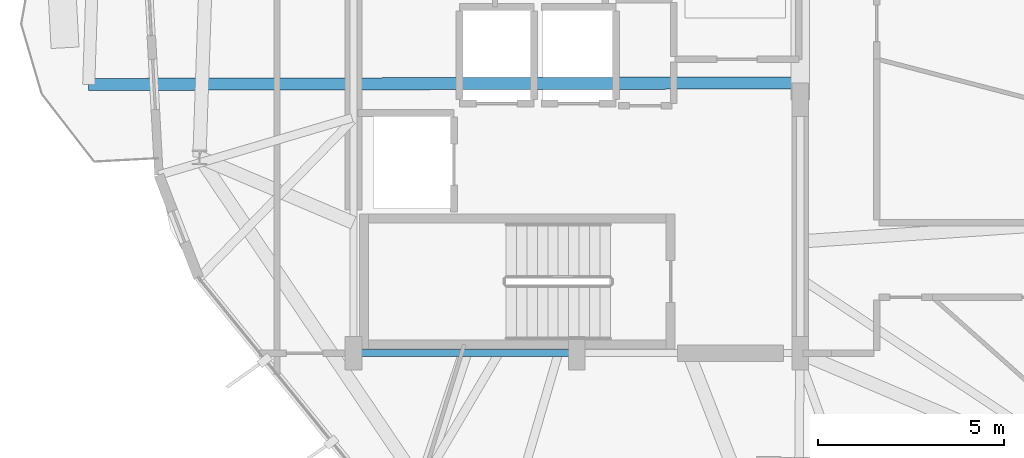
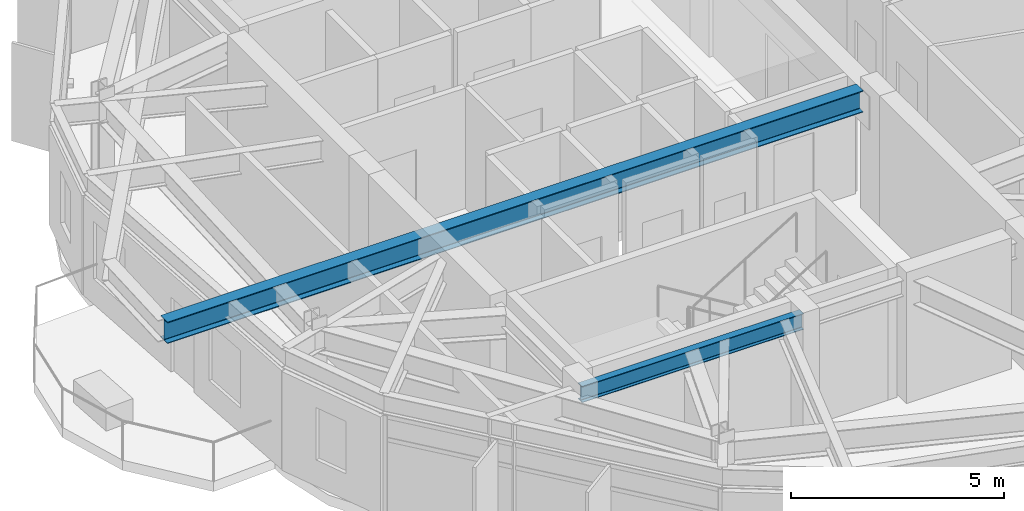
# One storey, part 4 of 26: 2 beams.
"""IFC4 building model written with IfcOpenShell, lengths in metres."""

from ifc_helpers import new_model, si_unit, direction, frame, origin, origin_2d, place, context, subcontext, project, spatial, i_section, extrude, material, material_profile, profile_set, type_object, element, save


model = new_model("IFC4")

# Units and contexts
model_context = context("Model", 3, precision=1e-05, world=origin(), true_north=direction((0.0, 1.0)))
body_context = subcontext(model_context, "Body", "Model", "MODEL_VIEW")
ifc_project = project(units=[si_unit("LENGTHUNIT", "METRE"), si_unit("AREAUNIT", "SQUARE_METRE"), si_unit("VOLUMEUNIT", "CUBIC_METRE"), si_unit("PLANEANGLEUNIT", "RADIAN"), si_unit("MASSUNIT", "GRAM", prefix="KILO")], contexts=[model_context])

# Site, building, storey
site_placement = place(None, origin())
site = spatial("IfcSite", under=ifc_project, at=site_placement, CompositionType="ELEMENT")
building_placement = place(site_placement, origin())
building = spatial("IfcBuilding", under=site, at=building_placement, Name="Soratama Intermodal Tower", CompositionType="ELEMENT")
storey_placement = place(building_placement, frame((0.0, 0.0, 242.5)))
storey = spatial("IfcBuildingStorey", under=building, at=storey_placement, Name="L61", CompositionType="ELEMENT", Elevation=242.5)

# Beams
ifc_material_1 = material(Name="Structural steel ASTM A992 Grade 50", Category="steel")
ifc_material_profile_1 = material_profile(ifc_material_1, i_section(OverallWidth=0.324951171875, OverallDepth=0.615966796875, WebThickness=0.013916015625, FlangeThickness=0.021484375, FilletRadius=0.013916015625, at=origin_2d()), Name="W24X117")
ifc_profile_set_1 = profile_set([ifc_material_profile_1], Name="Structural steel ASTM A992 Grade 50")
beam_type_1 = type_object("IfcBeamType", Name="BM-CANT-W24X117", PredefinedType="BEAM", material=ifc_profile_set_1)
beam_1_placement = place(storey_placement, frame((44.364990234375, 22.256103515625, 3.14208984375), z_axis=(-0.999997749406, -0.002121599365, 0.0), x_axis=(0.002121599365, -0.999997749406, 0.0)))
element("IfcBeam", 1, at=beam_1_placement, inside=storey, type_object=beam_type_1, Name="BM-L61-CANT-3-2", PredefinedType="BEAM", context=body_context, shape_type="SweptSolid", body=[
    extrude(i_section(OverallWidth=0.324951171875, OverallDepth=0.615966796875, WebThickness=0.013916015625, FlangeThickness=0.021484375, FilletRadius=0.013916015625, at=origin_2d()), origin(), (0.0, 0.0, 1.0), 18.8720703125),
])
ifc_material_2 = material(Name="Structural steel ASTM A992 Grade 50", Category="steel")
ifc_material_profile_2 = material_profile(ifc_material_2, i_section(OverallWidth=0.19091796875, OverallDepth=0.4599609375, WebThickness=0.010009765625, FlangeThickness=0.01611328125, FilletRadius=0.010986328125, at=origin_2d()), Name="W18X55")
ifc_profile_set_2 = profile_set([ifc_material_profile_2], Name="Structural steel ASTM A992 Grade 50")
beam_type_2 = type_object("IfcBeamType", Name="BM-FLR-W18X55", PredefinedType="BEAM", material=ifc_profile_set_2)
beam_2_placement = place(storey_placement, frame((32.60009765625, 15.0, 3.219970703125), z_axis=(1.0, 0.0, 0.0), x_axis=(0.0, 1.0, 0.0)))
element("IfcBeam", 2, at=beam_2_placement, inside=storey, type_object=beam_type_2, Name="BM-L61-CRING-01", PredefinedType="BEAM", context=body_context, shape_type="SweptSolid", body=[
    extrude(i_section(OverallWidth=0.19091796875, OverallDepth=0.4599609375, WebThickness=0.010009765625, FlangeThickness=0.01611328125, FilletRadius=0.010986328125, at=origin_2d()), origin(), (0.0, 0.0, 1.0), 6.0),
])

save(model, "model.ifc")
